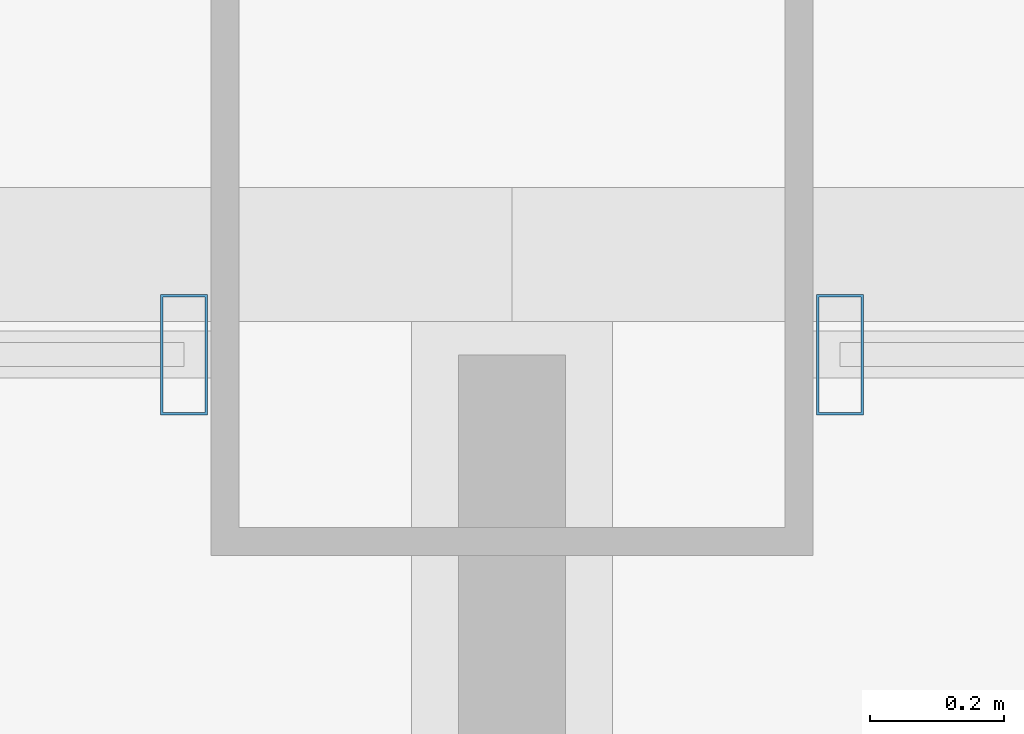
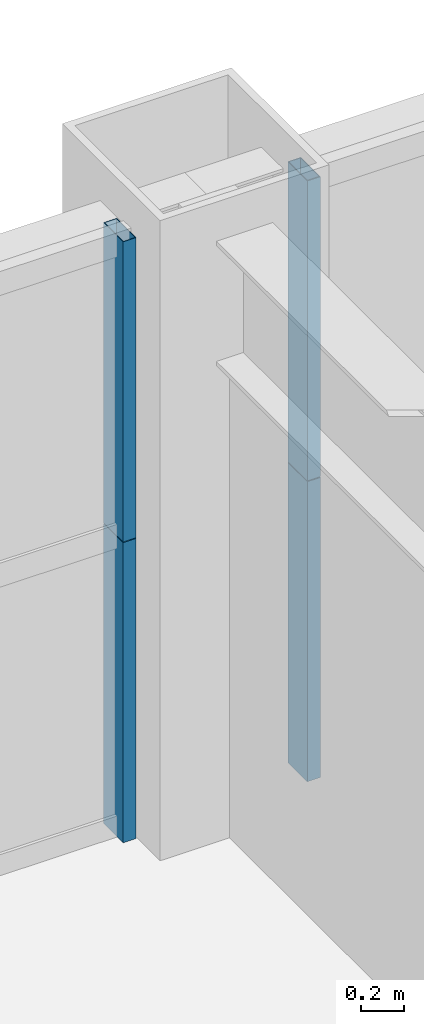
# One storey, part 27 of 39: 4 members, 2 elements without a shape of their own.
"""IFC4 building model written with IfcOpenShell, lengths in metres."""

from ifc_helpers import new_model, si_unit, direction, frame, origin, origin_2d, place, context, subcontext, project, spatial, hollow_rectangle, extrude, source, transform, mapped, material, layer, layer_set, material_profile, profile_set, type_object, element, aggregate, save


model = new_model("IFC4")

# Units and contexts
model_context = context("Model", 3, precision=1e-05, world=origin(), true_north=direction((0.0, 1.0)))
body_context = subcontext(model_context, "Body", "Model", "MODEL_VIEW")
ifc_project = project(units=[si_unit("LENGTHUNIT", "METRE"), si_unit("AREAUNIT", "SQUARE_METRE"), si_unit("VOLUMEUNIT", "CUBIC_METRE"), si_unit("PLANEANGLEUNIT", "RADIAN"), si_unit("MASSUNIT", "GRAM", prefix="KILO"), si_unit("THERMODYNAMICTEMPERATUREUNIT", "KELVIN"), si_unit("POWERUNIT", "WATT")], contexts=[model_context])

# Site, building, storey
site_placement = place(None, origin())
site = spatial("IfcSite", under=ifc_project, at=site_placement, CompositionType="ELEMENT")
building_placement = place(site_placement, origin())
building = spatial("IfcBuilding", under=site, at=building_placement, Name="Yuzanri Waterfront Tower", CompositionType="ELEMENT")
storey_placement = place(building_placement, frame((0.0, 0.0, 156.0)))
storey = spatial("IfcBuildingStorey", under=building, at=storey_placement, Name="L41", CompositionType="ELEMENT", Elevation=156.0)

# Curtain wall, members
ifc_material_1 = material(Name="Anodized Architectural Bronze", Category="metal")
ifc_layer = layer(ifc_material_1, 0.159912109375)
ifc_layer_set = layer_set([ifc_layer], Name="Anodized Architectural Bronze")
curtain_wall_type = type_object("IfcCurtainWallType", Name="Anodized Bronze Hotel Upper-Tier Solar-Control Unitized Curtain Wall 7800", PredefinedType="NOTDEFINED", material=ifc_layer_set)
curtain_wall_1_placement = place(storey_placement, origin())
curtain_wall_1 = element("IfcCurtainWall", 1, at=curtain_wall_1_placement, inside=storey, type_object=curtain_wall_type, Name="L41 Curtain Wall CW-L41-NL", PredefinedType="NOTDEFINED")
ifc_material_2 = material(Name="Anodized Architectural Bronze", Category="metal")
ifc_material_profile = material_profile(ifc_material_2, hollow_rectangle(XDim=0.070068359375, YDim=0.179931640625, WallThickness=0.00390625, at=origin_2d()), Name="CWM 70x180")
ifc_profile_set = profile_set([ifc_material_profile], Name="Anodized Architectural Bronze")
member_type = type_object("IfcMemberType", Name="Anodized Bronze Standard Curtain-Wall Mullion 70x180", PredefinedType="MULLION", material=ifc_profile_set)
shared_shape = source(origin(), body_context, "Body", "SweptSolid", [
    extrude(hollow_rectangle(XDim=0.070068359375, YDim=0.179931640625, WallThickness=0.00390625, at=origin_2d()), origin(), (0.0, 0.0, 1.0), 1.68798828125),
])
member_1_placement = place(storey_placement, frame((36.510009765625, 49.25, 0.0), z_axis=(0.0, 0.0, 1.0), x_axis=(1.0, 0.0, 0.0)))
member_1 = element("IfcMember", 2, at=member_1_placement, type_object=member_type, Name="CW-L41-NL Lower Mullion 02", PredefinedType="MULLION", context=body_context, shape_type="MappedRepresentation", body=[
    mapped(shared_shape, transform((0.0, 0.0, 0.0), scale=1.0)),
])
member_2_placement = place(storey_placement, frame((36.510009765625, 49.25, 1.69189453125), z_axis=(0.0, 0.0, 1.0), x_axis=(1.0, 0.0, 0.0)))
member_2 = element("IfcMember", 3, at=member_2_placement, type_object=member_type, Name="CW-L41-NL Upper Mullion 02", PredefinedType="MULLION", context=body_context, shape_type="MappedRepresentation", body=[
    mapped(shared_shape, transform((0.0, 0.0, 0.0), scale=1.0)),
])
aggregate(curtain_wall_1, [member_1, member_2])

curtain_wall_2_placement = place(storey_placement, origin())
curtain_wall_2 = element("IfcCurtainWall", 4, at=curtain_wall_2_placement, inside=storey, type_object=curtain_wall_type, Name="L41 Curtain Wall CW-L41-NR", PredefinedType="NOTDEFINED")
member_3_placement = place(storey_placement, frame((37.489990234375, 49.25, 0.0), z_axis=(0.0, 0.0, 1.0), x_axis=(1.0, 0.0, 0.0)))
member_3 = element("IfcMember", 5, at=member_3_placement, type_object=member_type, Name="CW-L41-NR Lower Mullion 00", PredefinedType="MULLION", context=body_context, shape_type="MappedRepresentation", body=[
    mapped(shared_shape, transform((0.0, 0.0, 0.0), scale=1.0)),
])
member_4_placement = place(storey_placement, frame((37.489990234375, 49.25, 1.69189453125), z_axis=(0.0, 0.0, 1.0), x_axis=(1.0, 0.0, 0.0)))
member_4 = element("IfcMember", 6, at=member_4_placement, type_object=member_type, Name="CW-L41-NR Upper Mullion 00", PredefinedType="MULLION", context=body_context, shape_type="MappedRepresentation", body=[
    mapped(shared_shape, transform((0.0, 0.0, 0.0), scale=1.0)),
])
aggregate(curtain_wall_2, [member_3, member_4])

save(model, "model.ifc")
